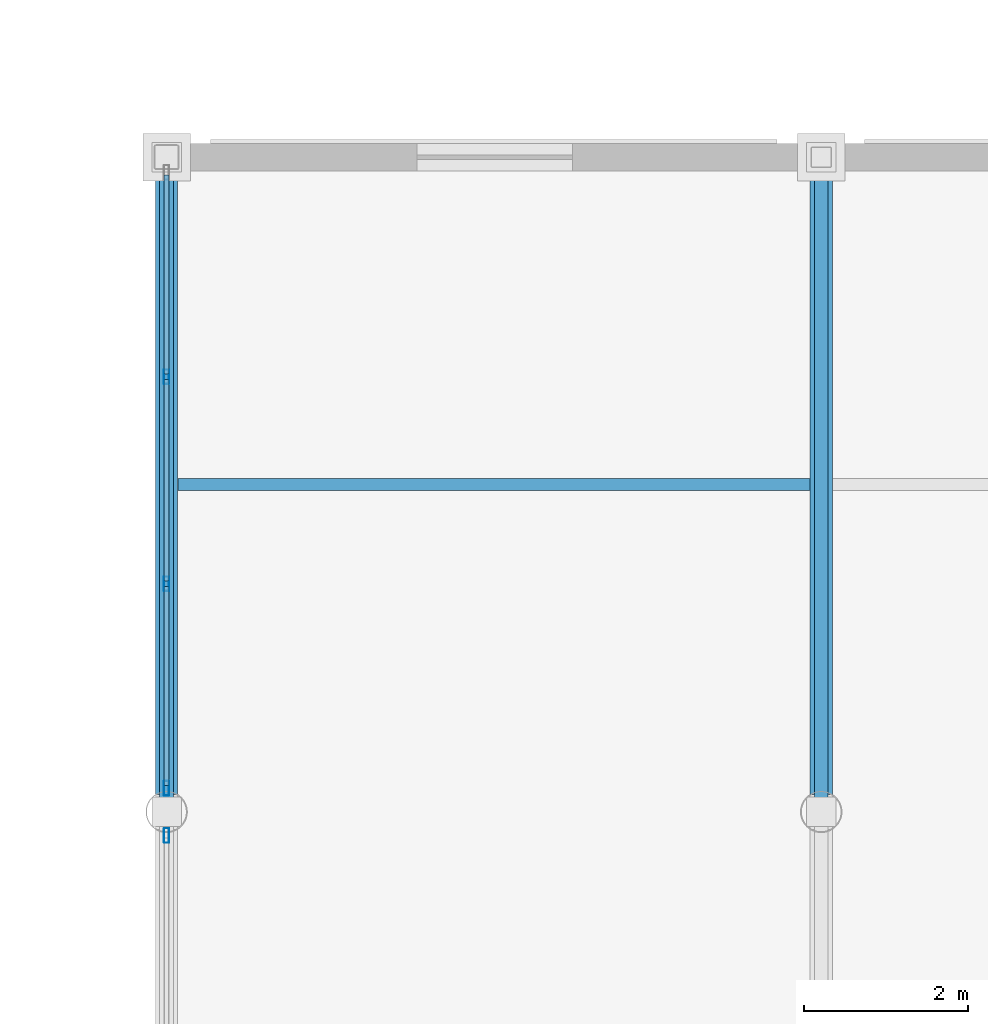
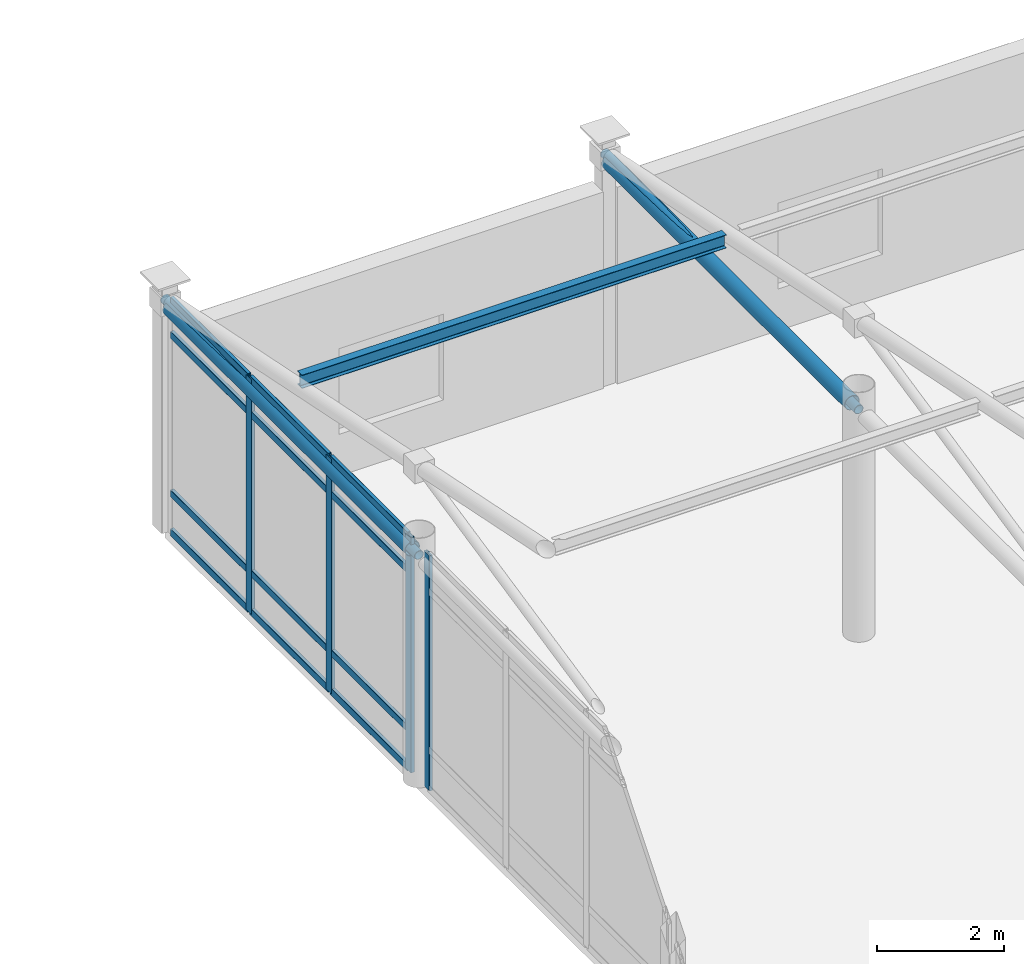
# One storey, part 28 of 117: 21 members, 2 elements without a shape of their own.
"""IFC4 building model written with IfcOpenShell, lengths in metres."""

from ifc_helpers import new_model, si_unit, direction, frame, origin, origin_2d, place, context, subcontext, project, spatial, hollow_rectangle, hollow_circle, i_section, extrude, material, material_profile, profile_set, type_object, element, aggregate, save


model = new_model("IFC4")

# Units and contexts
model_context = context("Model", 3, precision=1e-05, world=origin(), true_north=direction((0.0, 1.0)))
body_context = subcontext(model_context, "Body", "Model", "MODEL_VIEW")
ifc_project = project(units=[si_unit("LENGTHUNIT", "METRE"), si_unit("AREAUNIT", "SQUARE_METRE"), si_unit("VOLUMEUNIT", "CUBIC_METRE"), si_unit("PLANEANGLEUNIT", "RADIAN"), si_unit("MASSUNIT", "GRAM", prefix="KILO")], contexts=[model_context])

# Site, building, storey
site_placement = place(None, origin())
site = spatial("IfcSite", under=ifc_project, at=site_placement, CompositionType="ELEMENT")
building_placement = place(site_placement, origin())
building = spatial("IfcBuilding", under=site, at=building_placement, Name="Solmirada Galleria", CompositionType="ELEMENT")
storey_placement = place(building_placement, frame((0.0, 0.0, 5.60009765625)))
storey = spatial("IfcBuildingStorey", under=building, at=storey_placement, Name="L01", CompositionType="ELEMENT", Elevation=5.60009765625)

# Curtain wall, member
ifc_material_1 = material(Name="Impact-resistant low-E double glazing", Category="glass")
curtain_wall_type = type_object("IfcCurtainWallType", Name="CW-FZ1-L01-B3-L076", PredefinedType="NOTDEFINED", material=ifc_material_1)
curtain_wall_1_placement = place(storey_placement, origin())
curtain_wall_1 = element("IfcCurtainWall", 1, at=curtain_wall_1_placement, inside=storey, type_object=curtain_wall_type, Name="Terrace and arcade storefront CW-L01-081", PredefinedType="NOTDEFINED")
ifc_material_2 = material(Name="Anodised aluminium framing", Category="aluminium")
ifc_material_profile_1 = material_profile(ifc_material_2, hollow_rectangle(XDim=0.06494140625, YDim=0.179931640625, WallThickness=0.00390625, InnerFilletRadius=0.00390625, OuterFilletRadius=0.008056640625, at=origin_2d()), Name="ALU-MULL-180X65")
ifc_profile_set_1 = profile_set([ifc_material_profile_1], Name="Anodised aluminium framing")
member_type_1 = type_object("IfcMemberType", Name="CW-MULL-180", PredefinedType="MULLION", material=ifc_profile_set_1)
member_1_placement = place(storey_placement, frame((40.0, 31.71142578125, 0.0), z_axis=(0.0, 0.0, 1.0), x_axis=(-1.0, 0.0, 0.0)))
member_1 = element("IfcMember", 2, at=member_1_placement, type_object=member_type_1, Name="CW20 mullion 4", PredefinedType="MULLION", context=body_context, shape_type="SweptSolid", body=[
    extrude(hollow_rectangle(XDim=0.06494140625, YDim=0.179931640625, WallThickness=0.00390625, InnerFilletRadius=0.00390625, OuterFilletRadius=0.008056640625, at=origin_2d()), origin(), (0.0, 0.0, 1.0), 4.52001953125),
])
aggregate(curtain_wall_1, [member_1])

# Curtain wall, members
curtain_wall_2_placement = place(storey_placement, origin())
curtain_wall_2 = element("IfcCurtainWall", 3, at=curtain_wall_2_placement, inside=storey, type_object=curtain_wall_type, Name="Terrace and arcade storefront CW-L01-082", PredefinedType="NOTDEFINED")
member_2_placement = place(storey_placement, frame((40.0, 32.28857421875, 0.0), z_axis=(0.0, 0.0, 1.0), x_axis=(-1.0, 0.0, 0.0)))
member_2 = element("IfcMember", 4, at=member_2_placement, type_object=member_type_1, Name="CW20 mullion 1", PredefinedType="MULLION", context=body_context, shape_type="SweptSolid", body=[
    extrude(hollow_rectangle(XDim=0.06494140625, YDim=0.179931640625, WallThickness=0.00390625, InnerFilletRadius=0.00390625, OuterFilletRadius=0.008056640625, at=origin_2d()), origin(), (0.0, 0.0, 1.0), 4.52001953125),
])
member_3_placement = place(storey_placement, frame((40.0, 34.785888671875, 0.0), z_axis=(0.0, 0.0, 1.0), x_axis=(-1.0, 0.0, 0.0)))
member_3 = element("IfcMember", 5, at=member_3_placement, type_object=member_type_1, Name="CW20 mullion 2", PredefinedType="MULLION", context=body_context, shape_type="SweptSolid", body=[
    extrude(hollow_rectangle(XDim=0.06494140625, YDim=0.179931640625, WallThickness=0.00390625, InnerFilletRadius=0.00390625, OuterFilletRadius=0.008056640625, at=origin_2d()), origin(), (0.0, 0.0, 1.0), 4.52001953125),
])
member_4_placement = place(storey_placement, frame((40.0, 37.315673828125, 0.0), z_axis=(0.0, 0.0, 1.0), x_axis=(-1.0, 0.0, 0.0)))
member_4 = element("IfcMember", 6, at=member_4_placement, type_object=member_type_1, Name="CW20 mullion 3", PredefinedType="MULLION", context=body_context, shape_type="SweptSolid", body=[
    extrude(hollow_rectangle(XDim=0.06494140625, YDim=0.179931640625, WallThickness=0.00390625, InnerFilletRadius=0.00390625, OuterFilletRadius=0.008056640625, at=origin_2d()), origin(), (0.0, 0.0, 1.0), 4.52001953125),
])
ifc_material_profile_2 = material_profile(ifc_material_2, hollow_rectangle(XDim=0.06494140625, YDim=0.139892578125, WallThickness=0.00341796875, InnerFilletRadius=0.00341796875, OuterFilletRadius=0.007080078125, at=origin_2d()), Name="ALU-TRAN-140X65")
ifc_profile_set_2 = profile_set([ifc_material_profile_2], Name="Anodised aluminium framing")
member_type_2 = type_object("IfcMemberType", Name="CW-TRAN-140", PredefinedType="USERDEFINED", material=ifc_profile_set_2)
member_5_placement = place(storey_placement, frame((40.0, 32.321044921875, 0.032470703125), z_axis=(0.0, 1.0, 0.0), x_axis=(-1.0, 0.0, 0.0)))
member_5 = element("IfcMember", 7, at=member_5_placement, type_object=member_type_2, Name="CW20 transom 1.1", ObjectType="TRANSOM", PredefinedType="USERDEFINED", context=body_context, shape_type="SweptSolid", body=[
    extrude(hollow_rectangle(XDim=0.06494140625, YDim=0.139892578125, WallThickness=0.00341796875, InnerFilletRadius=0.00341796875, OuterFilletRadius=0.007080078125, at=origin_2d()), origin(), (0.0, 0.0, 1.0), 2.432373046875),
])
member_6_placement = place(storey_placement, frame((40.0, 32.321044921875, 0.77978515625), z_axis=(0.0, 1.0, 0.0), x_axis=(-1.0, 0.0, 0.0)))
member_6 = element("IfcMember", 8, at=member_6_placement, type_object=member_type_2, Name="CW20 transom 1.2", ObjectType="TRANSOM", PredefinedType="USERDEFINED", context=body_context, shape_type="SweptSolid", body=[
    extrude(hollow_rectangle(XDim=0.06494140625, YDim=0.139892578125, WallThickness=0.00341796875, InnerFilletRadius=0.00341796875, OuterFilletRadius=0.007080078125, at=origin_2d()), origin(), (0.0, 0.0, 1.0), 2.432373046875),
])
member_7_placement = place(storey_placement, frame((40.0, 32.321044921875, 3.829833984375), z_axis=(0.0, 1.0, 0.0), x_axis=(-1.0, 0.0, 0.0)))
member_7 = element("IfcMember", 9, at=member_7_placement, type_object=member_type_2, Name="CW20 transom 1.3", ObjectType="TRANSOM", PredefinedType="USERDEFINED", context=body_context, shape_type="SweptSolid", body=[
    extrude(hollow_rectangle(XDim=0.06494140625, YDim=0.139892578125, WallThickness=0.00341796875, InnerFilletRadius=0.00341796875, OuterFilletRadius=0.007080078125, at=origin_2d()), origin(), (0.0, 0.0, 1.0), 2.432373046875),
])
member_8_placement = place(storey_placement, frame((40.0, 32.321044921875, 4.4873046875), z_axis=(0.0, 1.0, 0.0), x_axis=(-1.0, 0.0, 0.0)))
member_8 = element("IfcMember", 10, at=member_8_placement, type_object=member_type_2, Name="CW20 transom 1.4", ObjectType="TRANSOM", PredefinedType="USERDEFINED", context=body_context, shape_type="SweptSolid", body=[
    extrude(hollow_rectangle(XDim=0.06494140625, YDim=0.139892578125, WallThickness=0.00341796875, InnerFilletRadius=0.00341796875, OuterFilletRadius=0.007080078125, at=origin_2d()), origin(), (0.0, 0.0, 1.0), 2.432373046875),
])
member_9_placement = place(storey_placement, frame((40.0, 34.818359375, 0.032470703125), z_axis=(0.0, 1.0, 0.0), x_axis=(-1.0, 0.0, 0.0)))
member_9 = element("IfcMember", 11, at=member_9_placement, type_object=member_type_2, Name="CW20 transom 2.1", ObjectType="TRANSOM", PredefinedType="USERDEFINED", context=body_context, shape_type="SweptSolid", body=[
    extrude(hollow_rectangle(XDim=0.06494140625, YDim=0.139892578125, WallThickness=0.00341796875, InnerFilletRadius=0.00341796875, OuterFilletRadius=0.007080078125, at=origin_2d()), origin(), (0.0, 0.0, 1.0), 2.46484375),
])
member_10_placement = place(storey_placement, frame((40.0, 34.818359375, 0.77978515625), z_axis=(0.0, 1.0, 0.0), x_axis=(-1.0, 0.0, 0.0)))
member_10 = element("IfcMember", 12, at=member_10_placement, type_object=member_type_2, Name="CW20 transom 2.2", ObjectType="TRANSOM", PredefinedType="USERDEFINED", context=body_context, shape_type="SweptSolid", body=[
    extrude(hollow_rectangle(XDim=0.06494140625, YDim=0.139892578125, WallThickness=0.00341796875, InnerFilletRadius=0.00341796875, OuterFilletRadius=0.007080078125, at=origin_2d()), origin(), (0.0, 0.0, 1.0), 2.46484375),
])
member_11_placement = place(storey_placement, frame((40.0, 34.818359375, 3.829833984375), z_axis=(0.0, 1.0, 0.0), x_axis=(-1.0, 0.0, 0.0)))
member_11 = element("IfcMember", 13, at=member_11_placement, type_object=member_type_2, Name="CW20 transom 2.3", ObjectType="TRANSOM", PredefinedType="USERDEFINED", context=body_context, shape_type="SweptSolid", body=[
    extrude(hollow_rectangle(XDim=0.06494140625, YDim=0.139892578125, WallThickness=0.00341796875, InnerFilletRadius=0.00341796875, OuterFilletRadius=0.007080078125, at=origin_2d()), origin(), (0.0, 0.0, 1.0), 2.46484375),
])
member_12_placement = place(storey_placement, frame((40.0, 34.818359375, 4.4873046875), z_axis=(0.0, 1.0, 0.0), x_axis=(-1.0, 0.0, 0.0)))
member_12 = element("IfcMember", 14, at=member_12_placement, type_object=member_type_2, Name="CW20 transom 2.4", ObjectType="TRANSOM", PredefinedType="USERDEFINED", context=body_context, shape_type="SweptSolid", body=[
    extrude(hollow_rectangle(XDim=0.06494140625, YDim=0.139892578125, WallThickness=0.00341796875, InnerFilletRadius=0.00341796875, OuterFilletRadius=0.007080078125, at=origin_2d()), origin(), (0.0, 0.0, 1.0), 2.46484375),
])
member_13_placement = place(storey_placement, frame((40.0, 37.34814453125, 0.032470703125), z_axis=(0.0, 1.0, 0.0), x_axis=(-1.0, 0.0, 0.0)))
member_13 = element("IfcMember", 15, at=member_13_placement, type_object=member_type_2, Name="CW20 transom 3.1", ObjectType="TRANSOM", PredefinedType="USERDEFINED", context=body_context, shape_type="SweptSolid", body=[
    extrude(hollow_rectangle(XDim=0.06494140625, YDim=0.139892578125, WallThickness=0.00341796875, InnerFilletRadius=0.00341796875, OuterFilletRadius=0.007080078125, at=origin_2d()), origin(), (0.0, 0.0, 1.0), 2.432373046875),
])
member_14_placement = place(storey_placement, frame((40.0, 37.34814453125, 0.77978515625), z_axis=(0.0, 1.0, 0.0), x_axis=(-1.0, 0.0, 0.0)))
member_14 = element("IfcMember", 16, at=member_14_placement, type_object=member_type_2, Name="CW20 transom 3.2", ObjectType="TRANSOM", PredefinedType="USERDEFINED", context=body_context, shape_type="SweptSolid", body=[
    extrude(hollow_rectangle(XDim=0.06494140625, YDim=0.139892578125, WallThickness=0.00341796875, InnerFilletRadius=0.00341796875, OuterFilletRadius=0.007080078125, at=origin_2d()), origin(), (0.0, 0.0, 1.0), 2.432373046875),
])
member_15_placement = place(storey_placement, frame((40.0, 37.34814453125, 3.829833984375), z_axis=(0.0, 1.0, 0.0), x_axis=(-1.0, 0.0, 0.0)))
member_15 = element("IfcMember", 17, at=member_15_placement, type_object=member_type_2, Name="CW20 transom 3.3", ObjectType="TRANSOM", PredefinedType="USERDEFINED", context=body_context, shape_type="SweptSolid", body=[
    extrude(hollow_rectangle(XDim=0.06494140625, YDim=0.139892578125, WallThickness=0.00341796875, InnerFilletRadius=0.00341796875, OuterFilletRadius=0.007080078125, at=origin_2d()), origin(), (0.0, 0.0, 1.0), 2.432373046875),
])
member_16_placement = place(storey_placement, frame((40.0, 37.34814453125, 4.4873046875), z_axis=(0.0, 1.0, 0.0), x_axis=(-1.0, 0.0, 0.0)))
member_16 = element("IfcMember", 18, at=member_16_placement, type_object=member_type_2, Name="CW20 transom 3.4", ObjectType="TRANSOM", PredefinedType="USERDEFINED", context=body_context, shape_type="SweptSolid", body=[
    extrude(hollow_rectangle(XDim=0.06494140625, YDim=0.139892578125, WallThickness=0.00341796875, InnerFilletRadius=0.00341796875, OuterFilletRadius=0.007080078125, at=origin_2d()), origin(), (0.0, 0.0, 1.0), 2.432373046875),
])
aggregate(curtain_wall_2, [member_2, member_3, member_4, member_5, member_6, member_7, member_8, member_9, member_10, member_11, member_12, member_13, member_14, member_15, member_16])

# Members
ifc_material_3 = material(Name="Steel S355 / ASTM A500 Grade C", Category="steel")
ifc_material_profile_3 = material_profile(ifc_material_3, hollow_circle(Radius=0.136474609375, WallThickness=0.0087890625, at=origin_2d()), Name="HSS10.750X0.375")
ifc_profile_set_3 = profile_set([ifc_material_profile_3], Name="Steel S355 / ASTM A500 Grade C")
member_type_3 = type_object("IfcMemberType", Name="MEM-FH-CHORD", PredefinedType="CHORD", material=ifc_profile_set_3)
member_17_placement = place(storey_placement, frame((40.0, 32.21337890625, 4.2998046875), z_axis=(0.0, 1.0, 0.0), x_axis=(-1.0, 0.0, 0.0)))
element("IfcMember", 19, at=member_17_placement, inside=storey, type_object=member_type_3, Name="Food Hall truss bottom chord X=40", PredefinedType="CHORD", context=body_context, shape_type="SweptSolid", body=[
    extrude(hollow_circle(Radius=0.136474609375, WallThickness=0.0087890625, at=origin_2d()), origin(), (0.0, 0.0, 1.0), 7.634033203125),
])
member_18_placement = place(storey_placement, frame((48.0, 32.21337890625, 4.2998046875), z_axis=(0.0, 1.0, 0.0), x_axis=(-1.0, 0.0, 0.0)))
element("IfcMember", 20, at=member_18_placement, inside=storey, type_object=member_type_3, Name="Food Hall truss bottom chord X=48", PredefinedType="CHORD", context=body_context, shape_type="SweptSolid", body=[
    extrude(hollow_circle(Radius=0.136474609375, WallThickness=0.0087890625, at=origin_2d()), origin(), (0.0, 0.0, 1.0), 7.65966796875),
])
ifc_material_profile_4 = material_profile(ifc_material_3, hollow_circle(Radius=0.083984375, WallThickness=0.006591796875, at=origin_2d()), Name="HSS6.625X0.280")
ifc_profile_set_4 = profile_set([ifc_material_profile_4], Name="Steel S355 / ASTM A500 Grade C")
member_type_4 = type_object("IfcMemberType", Name="MEM-FH-WEB", PredefinedType="BRACE", material=ifc_profile_set_4)
for number, where, z_axis, x_axis, name in (
    (21, (40.0, 32.0, 4.2998046875), (0.0, 0.99994990606, 0.010009264196), (-1.0, 0.0, 0.0), "Food Hall truss web diagonal X=40"),
    (22, (48.0, 32.0, 4.2998046875), (0.0, 0.99994990606, 0.010009264196), (-1.0, 0.0, 0.0), "Food Hall truss web diagonal X=48"),
):
    element("IfcMember", number, at=place(storey_placement, frame(where, z_axis=z_axis, x_axis=x_axis)), inside=storey, type_object=member_type_4, Name=name, PredefinedType="BRACE", context=body_context, shape_type="SweptSolid", body=[
        extrude(hollow_circle(Radius=0.083984375, WallThickness=0.006591796875, at=origin_2d()), origin(), (0.0, 0.0, 1.0), 8.00048828125),
    ])
ifc_material_4 = material(Name="Steel S355 / ASTM A992 Grade 50", Category="steel")
ifc_material_profile_5 = material_profile(ifc_material_4, i_section(OverallWidth=0.14599609375, OverallDepth=0.258056640625, WebThickness=0.006103515625, FlangeThickness=0.009033203125, FilletRadius=0.009033203125, at=origin_2d()), Name="W10X22")
ifc_profile_set_5 = profile_set([ifc_material_profile_5], Name="Steel S355 / ASTM A992 Grade 50")
member_type_5 = type_object("IfcMemberType", Name="MEM-ROOF-PURL", PredefinedType="PURLIN", material=ifc_profile_set_5)
member_19_placement = place(storey_placement, frame((40.139892578125, 36.0, 5.199951171875), z_axis=(1.0, 0.0, 0.0), x_axis=(0.0, 1.0, 0.0)))
element("IfcMember", 23, at=member_19_placement, inside=storey, type_object=member_type_5, Name="Food Hall roof purlin Y=36", PredefinedType="PURLIN", context=body_context, shape_type="SweptSolid", body=[
    extrude(i_section(OverallWidth=0.14599609375, OverallDepth=0.258056640625, WebThickness=0.006103515625, FlangeThickness=0.009033203125, FilletRadius=0.009033203125, at=origin_2d()), origin(), (0.0, 0.0, 1.0), 7.72021484375),
])

save(model, "model.ifc")
